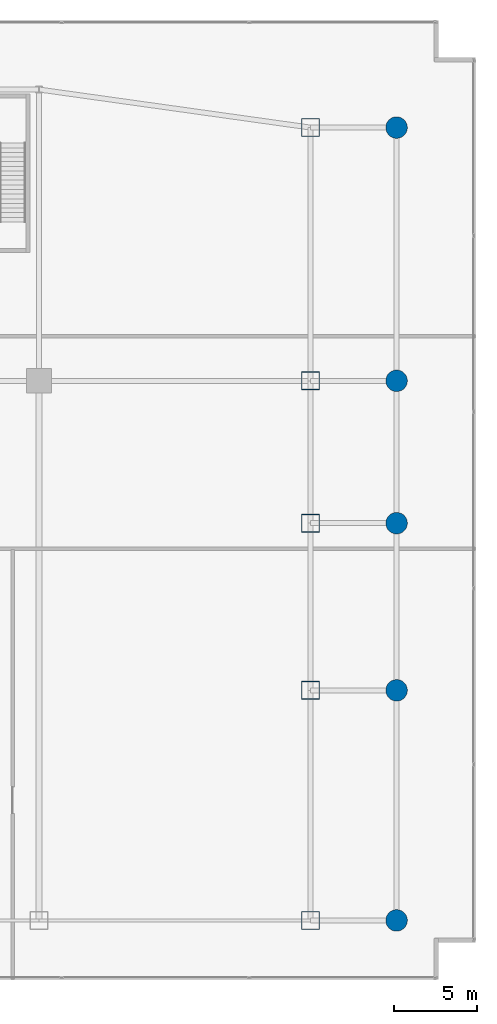
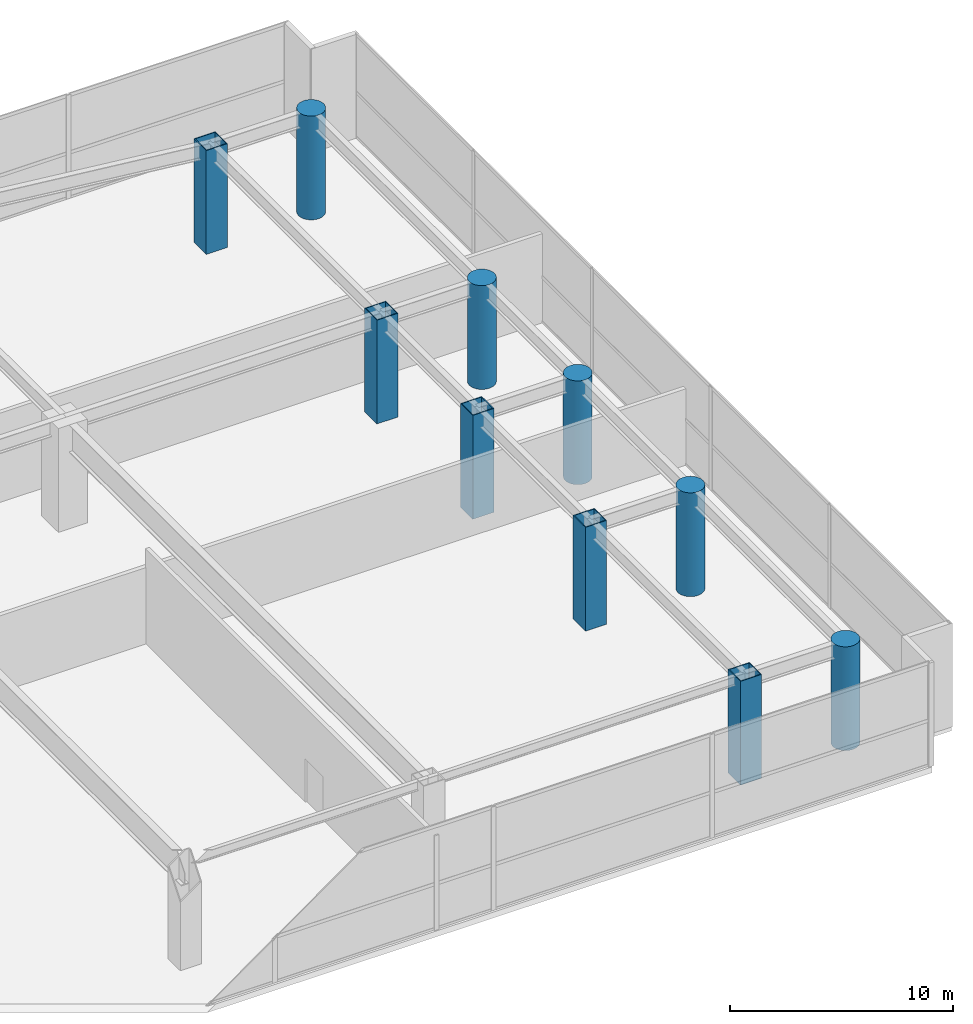
# One storey, part 3 of 35: 10 columns.
"""IFC4 building model written with IfcOpenShell, lengths in metres."""

from ifc_helpers import new_model, si_unit, direction, frame, origin, origin_2d, place, context, subcontext, project, spatial, hollow_rectangle, circle, extrude, material, material_profile, profile_set, type_object, element, save


model = new_model("IFC4")

# Units and contexts
model_context = context("Model", 3, precision=1e-05, world=origin(), true_north=direction((0.0, 1.0)))
body_context = subcontext(model_context, "Body", "Model", "MODEL_VIEW")
ifc_project = project(units=[si_unit("LENGTHUNIT", "METRE"), si_unit("AREAUNIT", "SQUARE_METRE"), si_unit("VOLUMEUNIT", "CUBIC_METRE"), si_unit("PLANEANGLEUNIT", "RADIAN"), si_unit("MASSUNIT", "GRAM", prefix="KILO")], contexts=[model_context])

# Site, building, storey
site_placement = place(None, origin())
site = spatial("IfcSite", under=ifc_project, at=site_placement, CompositionType="ELEMENT")
building_placement = place(site_placement, origin())
building = spatial("IfcBuilding", under=site, at=building_placement, Name="Calvorn Quay Hotel", CompositionType="ELEMENT")
storey_placement = place(building_placement, frame((0.0, 0.0, 6.0)))
storey = spatial("IfcBuildingStorey", under=building, at=storey_placement, Name="L01", CompositionType="ELEMENT", Elevation=6.0)

# Columns
ifc_material_1 = material(Name="Concrete C60", Category="concrete")
ifc_material_profile_1 = material_profile(ifc_material_1, circle(Radius=0.64990234375, at=origin_2d()), Name="RCD1300")
ifc_profile_set_1 = profile_set([ifc_material_profile_1], Name="Concrete C60")
column_type_1 = type_object("IfcColumnType", Name="COL-RC-D1300", PredefinedType="COLUMN", material=ifc_profile_set_1)
for number, where, z_axis, x_axis, name in (
    (1, (79.199951171875, 3.60009765625, 0.0), (0.0, 0.0, 1.0), (1.0, 0.0, 0.0), "Column C-PQ1 (L01)"),
    (2, (79.199951171875, 17.5, 0.0), (0.0, 0.0, 1.0), (1.0, 0.0, 0.0), "Column C-PQ2 (L01)"),
    (3, (79.199951171875, 27.60009765625, 0.0), (0.0, 0.0, 1.0), (1.0, 0.0, 0.0), "Column C-PQ3 (L01)"),
    (4, (79.199951171875, 36.199951171875, 0.0), (0.0, 0.0, 1.0), (1.0, 0.0, 0.0), "Column C-PQ4 (L01)"),
    (5, (79.199951171875, 51.5, 0.0), (0.0, 0.0, 1.0), (1.0, 0.0, 0.0), "Column C-PQ5 (L01)"),
):
    element("IfcColumn", number, at=place(storey_placement, frame(where, z_axis=z_axis, x_axis=x_axis)), inside=storey, type_object=column_type_1, Name=name, PredefinedType="COLUMN", context=body_context, shape_type="SweptSolid", body=[
        extrude(circle(Radius=0.64990234375, at=origin_2d()), origin(), (0.0, 0.0, 1.0), 5.679931640625),
    ])
ifc_material_2 = material(Name="Steel Q420GJC", Category="steel")
ifc_material_profile_2 = material_profile(ifc_material_2, hollow_rectangle(XDim=1.10009765625, YDim=1.10009765625, WallThickness=0.044921875, at=origin_2d()), Name="BOX1100x1100x45")
ifc_profile_set_2 = profile_set([ifc_material_profile_2], Name="Steel Q420GJC")
column_type_2 = type_object("IfcColumnType", Name="COL-STL-MEGA1", PredefinedType="COLUMN", material=ifc_profile_set_2)
for number, where, z_axis, x_axis, name in (
    (6, (74.0, 3.60009765625, 0.0), (0.0, 0.0, 1.0), (1.0, 0.0, 0.0), "Column C-PE1 (L01)"),
    (7, (74.0, 17.5, 0.0), (0.0, 0.0, 1.0), (1.0, 0.0, 0.0), "Column C-PE2 (L01)"),
    (8, (74.0, 27.60009765625, 0.0), (0.0, 0.0, 1.0), (1.0, 0.0, 0.0), "Column C-PE3 (L01)"),
    (9, (74.0, 36.199951171875, 0.0), (0.0, 0.0, 1.0), (1.0, 0.0, 0.0), "Column C-PE4 (L01)"),
    (10, (74.0, 51.5, 0.0), (0.0, 0.0, 1.0), (1.0, 0.0, 0.0), "Column C-PE5 (L01)"),
):
    element("IfcColumn", number, at=place(storey_placement, frame(where, z_axis=z_axis, x_axis=x_axis)), inside=storey, type_object=column_type_2, Name=name, PredefinedType="COLUMN", context=body_context, shape_type="SweptSolid", body=[
        extrude(hollow_rectangle(XDim=1.10009765625, YDim=1.10009765625, WallThickness=0.044921875, at=origin_2d()), origin(), (0.0, 0.0, 1.0), 5.679931640625),
    ])

save(model, "model.ifc")
